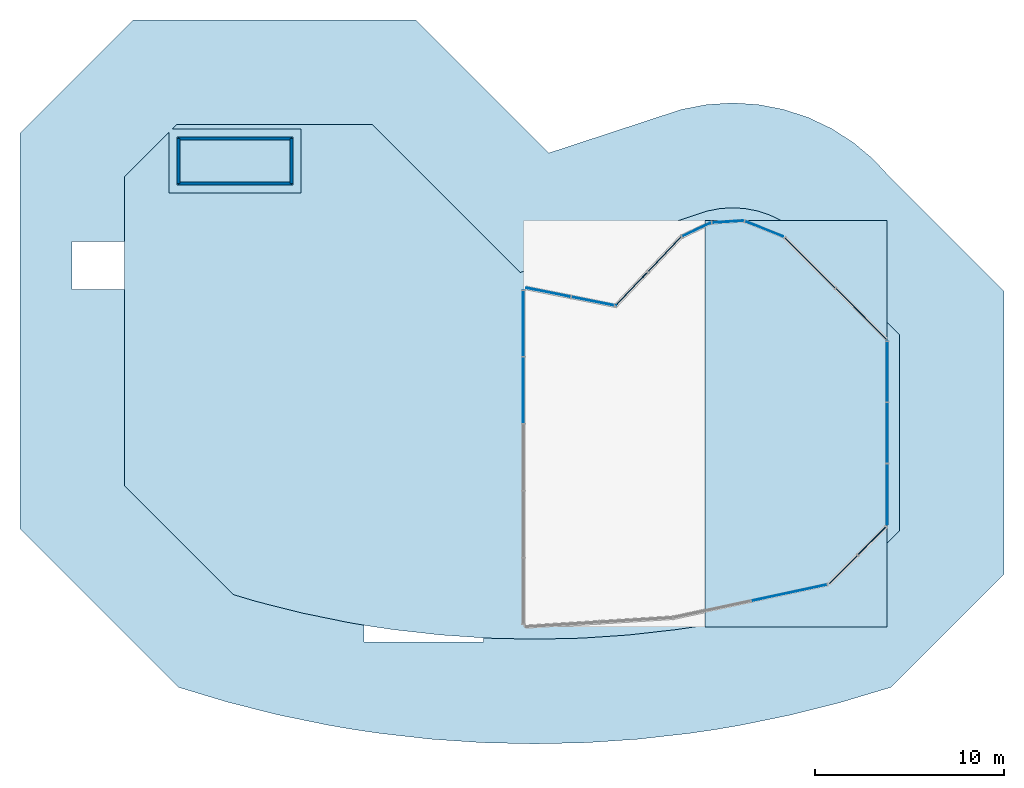
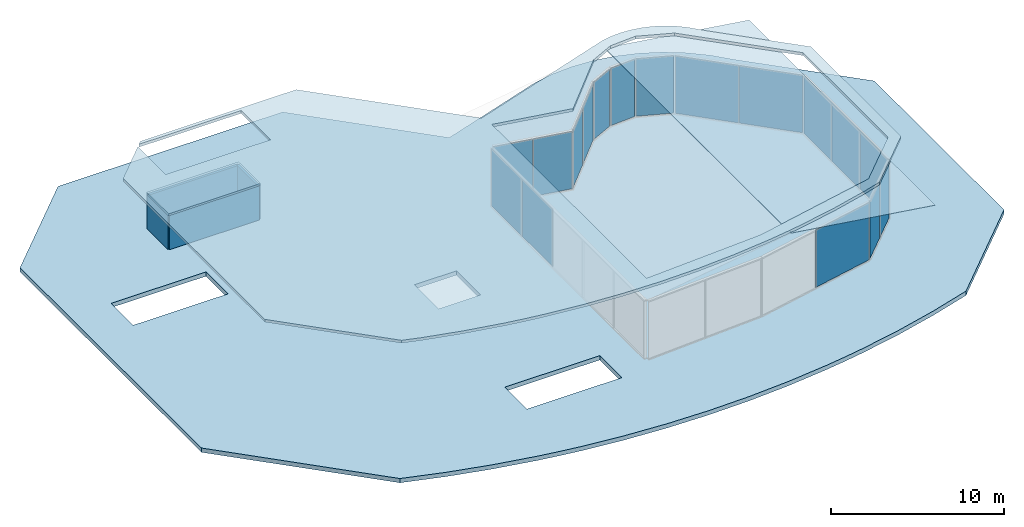
# One storey, part 2 of 2: 20 plates, 4 walls, 1 slab, 10 elements without a shape of their own.
"""IFC4 building model written with IfcOpenShell, lengths in metres."""

from ifc_helpers import new_model, si_unit, direction, frame, frame_2d, origin, origin_2d, place, context, subcontext, project, spatial, polyline, rectangle, outline, extrude, material, layer, layer_set, type_object, element, aggregate, save


model = new_model("IFC4")

# Units and contexts
model_context = context("Model", 3, precision=1e-05, world=origin(), true_north=direction((0.0, 1.0)))
body_context = subcontext(model_context, "Body", "Model", "MODEL_VIEW")
ifc_project = project(units=[si_unit("LENGTHUNIT", "METRE"), si_unit("AREAUNIT", "SQUARE_METRE"), si_unit("VOLUMEUNIT", "CUBIC_METRE"), si_unit("PLANEANGLEUNIT", "RADIAN"), si_unit("MASSUNIT", "GRAM", prefix="KILO")], contexts=[model_context])

# Site, building, storey
site_placement = place(None, origin())
site = spatial("IfcSite", under=ifc_project, at=site_placement, CompositionType="ELEMENT")
building_placement = place(site_placement, origin())
building = spatial("IfcBuilding", under=site, at=building_placement, Name="Brevane Broadcast Tower", CompositionType="ELEMENT")
storey_placement = place(building_placement, frame((0.0, 0.0, 268.89990234375)))
storey = spatial("IfcBuildingStorey", under=building, at=storey_placement, Name="ROOF", CompositionType="ELEMENT", Elevation=268.89990234375)

# Curtain wall, plates
ifc_material_1 = material(Name="Aluminium 6063-T6 bronze anodised", Category="aluminium")
curtain_wall_type = type_object("IfcCurtainWallType", Name="CW-5 lantern curtain wall", PredefinedType="NOTDEFINED", material=ifc_material_1)
curtain_wall_1_placement = place(storey_placement, origin())
curtain_wall_1 = element("IfcCurtainWall", 1, at=curtain_wall_1_placement, inside=storey, type_object=curtain_wall_type, Name="Lantern glass panel 1", PredefinedType="NOTDEFINED")
ifc_material_2 = material(Name="Laminated glass bronze-tinted", Category="glass")
ifc_layer_1 = layer(ifc_material_2, 0.0400390625)
ifc_layer_set_1 = layer_set([ifc_layer_1], Name="CW tall glass panel 40")
plate_type_1 = type_object("IfcPlateType", Name="CW tall glass panel 40", PredefinedType="CURTAIN_PANEL", material=ifc_layer_set_1)
plate_1_placement = place(storey_placement, frame((25.800048828125, 18.4150390625, 0.380126953125), z_axis=(0.0, 0.0, 1.0), x_axis=(0.0, -1.0, 0.0)))
plate_1 = element("IfcPlate", 2, at=plate_1_placement, type_object=plate_type_1, Name="Hall glass panel", PredefinedType="CURTAIN_PANEL", context=body_context, shape_type="SweptSolid", body=[
    extrude(rectangle(XDim=3.49755859375, YDim=0.0400390625, at=origin_2d()), origin(), (0.0, 0.0, 1.0), 4.0400390625),
])
plate_2_placement = place(storey_placement, frame((25.800048828125, 14.857421875, 0.380126953125), z_axis=(0.0, 0.0, 1.0), x_axis=(0.0, -1.0, 0.0)))
plate_2 = element("IfcPlate", 3, at=plate_2_placement, type_object=plate_type_1, Name="Hall glass panel", PredefinedType="CURTAIN_PANEL", context=body_context, shape_type="SweptSolid", body=[
    extrude(rectangle(XDim=3.49755859375, YDim=0.0400390625, at=origin_2d()), origin(), (0.0, 0.0, 1.0), 4.0400390625),
])
aggregate(curtain_wall_1, [plate_1, plate_2])

# Curtain wall, plate
curtain_wall_2_placement = place(storey_placement, origin())
curtain_wall_2 = element("IfcCurtainWall", 4, at=curtain_wall_2_placement, inside=storey, type_object=curtain_wall_type, Name="Lantern glass panel 3", PredefinedType="NOTDEFINED")
plate_3_placement = place(storey_placement, frame((39.922607421875, 4.11962890625, 0.380126953125), z_axis=(0.0, 0.0, 1.0), x_axis=(0.977667345553, 0.210158419864, 0.0)))
plate_3 = element("IfcPlate", 5, at=plate_3_placement, type_object=plate_type_1, Name="Hall glass panel", PredefinedType="CURTAIN_PANEL", context=body_context, shape_type="SweptSolid", body=[
    extrude(rectangle(XDim=4.1259765625, YDim=0.0400390625, at=origin_2d()), origin(), (0.0, 0.0, 1.0), 4.0400390625),
])
aggregate(curtain_wall_2, [plate_3])

# Curtain wall, plates
curtain_wall_3_placement = place(storey_placement, origin())
curtain_wall_3 = element("IfcCurtainWall", 6, at=curtain_wall_3_placement, inside=storey, type_object=curtain_wall_type, Name="Lantern glass panel 4", PredefinedType="NOTDEFINED")
plate_4_placement = place(storey_placement, frame((42.781494140625, 5.349609375, 0.380126953125), z_axis=(0.0, 0.0, 1.0), x_axis=(0.707106781187, 0.707106781187, 0.0)))
plate_4 = element("IfcPlate", 7, at=plate_4_placement, type_object=plate_type_1, Name="Hall glass panel", PredefinedType="CURTAIN_PANEL", context=body_context, shape_type="SweptSolid", body=[
    extrude(rectangle(XDim=2.09814453125, YDim=0.0400390625, at=origin_2d()), origin(), (0.0, 0.0, 1.0), 4.0400390625),
])
plate_5_placement = place(storey_placement, frame((44.3076171875, 6.875732421875, 0.380126953125), z_axis=(0.0, 0.0, 1.0), x_axis=(0.707106781187, 0.707106781187, 0.0)))
plate_5 = element("IfcPlate", 8, at=plate_5_placement, type_object=plate_type_1, Name="Hall glass panel", PredefinedType="CURTAIN_PANEL", context=body_context, shape_type="SweptSolid", body=[
    extrude(rectangle(XDim=2.09814453125, YDim=0.0400390625, at=origin_2d()), origin(), (0.0, 0.0, 1.0), 4.0400390625),
])
aggregate(curtain_wall_3, [plate_4, plate_5])

curtain_wall_4_placement = place(storey_placement, origin())
curtain_wall_4 = element("IfcCurtainWall", 9, at=curtain_wall_4_placement, inside=storey, type_object=curtain_wall_type, Name="Lantern glass panel 5", PredefinedType="NOTDEFINED")
plate_6_placement = place(storey_placement, frame((45.10009765625, 9.339599609375, 0.380126953125), z_axis=(0.0, 0.0, 1.0), x_axis=(0.0, 1.0, 0.0)))
plate_6 = element("IfcPlate", 10, at=plate_6_placement, type_object=plate_type_1, Name="Hall glass panel", PredefinedType="CURTAIN_PANEL", context=body_context, shape_type="SweptSolid", body=[
    extrude(rectangle(XDim=3.2001953125, YDim=0.0400390625, at=origin_2d()), origin(), (0.0, 0.0, 1.0), 4.0400390625),
])
plate_7_placement = place(storey_placement, frame((45.10009765625, 12.60009765625, 0.380126953125), z_axis=(0.0, 0.0, 1.0), x_axis=(0.0, 1.0, 0.0)))
plate_7 = element("IfcPlate", 11, at=plate_7_placement, type_object=plate_type_1, Name="Hall glass panel", PredefinedType="CURTAIN_PANEL", context=body_context, shape_type="SweptSolid", body=[
    extrude(rectangle(XDim=3.2001953125, YDim=0.0400390625, at=origin_2d()), origin(), (0.0, 0.0, 1.0), 4.0400390625),
])
plate_8_placement = place(storey_placement, frame((45.10009765625, 15.8603515625, 0.380126953125), z_axis=(0.0, 0.0, 1.0), x_axis=(0.0, 1.0, 0.0)))
plate_8 = element("IfcPlate", 12, at=plate_8_placement, type_object=plate_type_1, Name="Hall glass panel", PredefinedType="CURTAIN_PANEL", context=body_context, shape_type="SweptSolid", body=[
    extrude(rectangle(XDim=3.2001953125, YDim=0.0400390625, at=origin_2d()), origin(), (0.0, 0.0, 1.0), 4.0400390625),
])
aggregate(curtain_wall_4, [plate_6, plate_7, plate_8])

curtain_wall_5_placement = place(storey_placement, origin())
curtain_wall_5 = element("IfcCurtainWall", 13, at=curtain_wall_5_placement, inside=storey, type_object=curtain_wall_type, Name="Lantern glass panel 6", PredefinedType="NOTDEFINED")
plate_9_placement = place(storey_placement, frame((43.7138671875, 18.915771484375, 0.380126953125), z_axis=(0.0, 0.0, 1.0), x_axis=(-0.707645290671, 0.706567861278, 0.0)))
plate_9 = element("IfcPlate", 14, at=plate_9_placement, type_object=plate_type_1, Name="Hall glass panel", PredefinedType="CURTAIN_PANEL", context=body_context, shape_type="SweptSolid", body=[
    extrude(rectangle(XDim=3.7744140625, YDim=0.0400390625, at=origin_2d()), origin(), (0.0, 0.0, 1.0), 4.0400390625),
])
plate_10_placement = place(storey_placement, frame((41.00048828125, 21.625244140625, 0.380126953125), z_axis=(0.0, 0.0, 1.0), x_axis=(-0.707645290671, 0.706567861278, 0.0)))
plate_10 = element("IfcPlate", 15, at=plate_10_placement, type_object=plate_type_1, Name="Hall glass panel", PredefinedType="CURTAIN_PANEL", context=body_context, shape_type="SweptSolid", body=[
    extrude(rectangle(XDim=3.7744140625, YDim=0.0400390625, at=origin_2d()), origin(), (0.0, 0.0, 1.0), 4.0400390625),
])
aggregate(curtain_wall_5, [plate_9, plate_10])

# Curtain wall, plate
curtain_wall_6_placement = place(storey_placement, origin())
curtain_wall_6 = element("IfcCurtainWall", 16, at=curtain_wall_6_placement, inside=storey, type_object=curtain_wall_type, Name="Lantern glass panel 7", PredefinedType="NOTDEFINED")
plate_11_placement = place(storey_placement, frame((38.55908203125, 23.4228515625, 0.380126953125), z_axis=(0.0, 0.0, 1.0), x_axis=(-0.928319043234, 0.37178455316, 0.0)))
plate_11 = element("IfcPlate", 17, at=plate_11_placement, type_object=plate_type_1, Name="Hall glass panel", PredefinedType="CURTAIN_PANEL", context=body_context, shape_type="SweptSolid", body=[
    extrude(rectangle(XDim=2.204833984375, YDim=0.0400390625, at=origin_2d()), origin(), (0.0, 0.0, 1.0), 4.0400390625),
])
aggregate(curtain_wall_6, [plate_11])

curtain_wall_7_placement = place(storey_placement, origin())
curtain_wall_7 = element("IfcCurtainWall", 18, at=curtain_wall_7_placement, inside=storey, type_object=curtain_wall_type, Name="Lantern glass panel 8", PredefinedType="NOTDEFINED")
plate_12_placement = place(storey_placement, frame((36.61279296875, 23.796630859375, 0.380126953125), z_axis=(0.0, 0.0, 1.0), x_axis=(-0.997985261445, -0.063446181428, 0.0)))
plate_12 = element("IfcPlate", 19, at=plate_12_placement, type_object=plate_type_1, Name="Hall glass panel", PredefinedType="CURTAIN_PANEL", context=body_context, shape_type="SweptSolid", body=[
    extrude(rectangle(XDim=1.646484375, YDim=0.0400390625, at=origin_2d()), origin(), (0.0, 0.0, 1.0), 4.0400390625),
])
aggregate(curtain_wall_7, [plate_12])

curtain_wall_8_placement = place(storey_placement, origin())
curtain_wall_8 = element("IfcCurtainWall", 20, at=curtain_wall_8_placement, inside=storey, type_object=curtain_wall_type, Name="Lantern glass panel 9", PredefinedType="NOTDEFINED")
plate_13_placement = place(storey_placement, frame((34.9541015625, 23.3662109375, 0.380126953125), z_axis=(0.0, 0.0, 1.0), x_axis=(-0.902860503823, -0.429933611894, 0.0)))
plate_13 = element("IfcPlate", 21, at=plate_13_placement, type_object=plate_type_1, Name="Hall glass panel", PredefinedType="CURTAIN_PANEL", context=body_context, shape_type="SweptSolid", body=[
    extrude(rectangle(XDim=1.646484375, YDim=0.0400390625, at=origin_2d()), origin(), (0.0, 0.0, 1.0), 4.0400390625),
])
aggregate(curtain_wall_8, [plate_13])

# Curtain wall, plates
curtain_wall_9_placement = place(storey_placement, origin())
curtain_wall_9 = element("IfcCurtainWall", 22, at=curtain_wall_9_placement, inside=storey, type_object=curtain_wall_type, Name="Lantern glass panel 10", PredefinedType="NOTDEFINED")
plate_14_placement = place(storey_placement, frame((33.281005859375, 22.05859375, 0.380126953125), z_axis=(0.0, 0.0, 1.0), x_axis=(-0.688725040433, -0.725022633219, 0.0)))
plate_14 = element("IfcPlate", 23, at=plate_14_placement, type_object=plate_type_1, Name="Hall glass panel", PredefinedType="CURTAIN_PANEL", context=body_context, shape_type="SweptSolid", body=[
    extrude(rectangle(XDim=2.4755859375, YDim=0.0400390625, at=origin_2d()), origin(), (0.0, 0.0, 1.0), 4.0400390625),
])
plate_15_placement = place(storey_placement, frame((31.53466796875, 20.22021484375, 0.380126953125), z_axis=(0.0, 0.0, 1.0), x_axis=(-0.688725040433, -0.725022633219, 0.0)))
plate_15 = element("IfcPlate", 24, at=plate_15_placement, type_object=plate_type_1, Name="Hall glass panel", PredefinedType="CURTAIN_PANEL", context=body_context, shape_type="SweptSolid", body=[
    extrude(rectangle(XDim=2.4755859375, YDim=0.0400390625, at=origin_2d()), origin(), (0.0, 0.0, 1.0), 4.0400390625),
])
aggregate(curtain_wall_9, [plate_14, plate_15])

curtain_wall_10_placement = place(storey_placement, origin())
curtain_wall_10 = element("IfcCurtainWall", 25, at=curtain_wall_10_placement, inside=storey, type_object=curtain_wall_type, Name="Lantern glass panel 11", PredefinedType="NOTDEFINED")
plate_16_placement = place(storey_placement, frame((29.545166015625, 19.570556640625, 0.380126953125), z_axis=(0.0, 0.0, 1.0), x_axis=(-0.980785295664, 0.195090245294, 0.0)))
plate_16 = element("IfcPlate", 26, at=plate_16_placement, type_object=plate_type_1, Name="Hall glass panel", PredefinedType="CURTAIN_PANEL", context=body_context, shape_type="SweptSolid", body=[
    extrude(rectangle(XDim=2.404296875, YDim=0.0400390625, at=origin_2d()), origin(), (0.0, 0.0, 1.0), 4.0400390625),
])
plate_17_placement = place(storey_placement, frame((27.1279296875, 20.051513671875, 0.380126953125), z_axis=(0.0, 0.0, 1.0), x_axis=(-0.980785295664, 0.195090245294, 0.0)))
plate_17 = element("IfcPlate", 27, at=plate_17_placement, type_object=plate_type_1, Name="Hall glass panel", PredefinedType="CURTAIN_PANEL", context=body_context, shape_type="SweptSolid", body=[
    extrude(rectangle(XDim=2.404296875, YDim=0.0400390625, at=origin_2d()), origin(), (0.0, 0.0, 1.0), 4.0400390625),
])
aggregate(curtain_wall_10, [plate_16, plate_17])

# Plates
ifc_material_3 = material(Name="Aluminium bronze anodised", Category="aluminium")
ifc_layer_2 = layer(ifc_material_3, 0.199951171875)
ifc_layer_set_2 = layer_set([ifc_layer_2], Name="Canopy shoulder plate 200")
plate_type_2 = type_object("IfcPlateType", Name="Canopy shoulder plate 200", PredefinedType="SHEET", material=ifc_layer_set_2)
plate_18_placement = place(storey_placement, frame((0.0, 0.0, 5.85009765625)))
element("IfcPlate", 28, at=plate_18_placement, inside=storey, type_object=plate_type_2, Name="Canopy cap roof", PredefinedType="SHEET", context=body_context, shape_type="SweptSolid", body=[
    extrude(outline(polyline([(10.436767578125, 4.011962890625), (11.6083984375, 3.659423828125), (14.027587890625, 3.04833984375), (16.50244140625, 2.54052734375), (17.701904296875, 2.33642578125), (18.9052734375, 2.1591796875), (21.415771484375, 1.875732421875), (23.905517578125, 1.70751953125), (26.39990234375, 1.6513671875), (28.89453125, 1.70751953125), (31.38427734375, 1.875732421875), (33.89453125, 2.1591796875), (35.09814453125, 2.33642578125), (36.29736328125, 2.54052734375), (38.772216796875, 3.04833984375), (41.191650390625, 3.659423828125), (42.363037109375, 4.011962890625), (45.75, 7.39892578125), (45.75, 17.801025390625), (41.297119140625, 22.25390625), (40.530029296875, 23.0849609375), (40.018798828125, 23.51416015625), (39.45751953125, 23.875), (38.855224609375, 24.161865234375), (38.22119140625, 24.3701171875), (37.56591796875, 24.49658203125), (36.89990234375, 24.538818359375), (36.234130859375, 24.49658203125), (35.578857421875, 24.3701171875), (25.644775390625, 21.106201171875), (17.801025390625, 28.949951171875), (7.39892578125, 28.949951171875), (7.16943359375, 28.720458984375), (14.0, 28.720458984375), (14.0, 25.320556640625), (7.0, 25.320556640625), (7.0, 28.551025390625), (4.64990234375, 26.201171875), (4.64990234375, 9.798828125), (10.436767578125, 4.011962890625)]), holes=[polyline([(30.716796875, 19.28662109375), (25.85009765625, 20.254638671875), (25.85009765625, 2.352783203125), (33.769775390625, 2.84814453125), (41.97265625, 4.611572265625), (45.050048828125, 7.688720703125), (45.050048828125, 17.51123046875), (39.601318359375, 22.95166015625), (37.478759765625, 23.801513671875), (35.7548828125, 23.69189453125), (34.197021484375, 22.9501953125), (30.716796875, 19.28662109375)])]), origin(), (0.0, 0.0, 1.0), 0.199951171875),
])
ifc_layer_3 = layer(ifc_material_2, 0.0400390625)
ifc_layer_set_3 = layer_set([ifc_layer_3], Name="Lantern roof glass 40")
plate_type_3 = type_object("IfcPlateType", Name="Lantern roof glass 40", PredefinedType="SHEET", material=ifc_layer_set_3)
plate_19_placement = place(storey_placement, frame((45.10009765625, 23.852294921875, 4.5), z_axis=(0.143587219267, 0.0, 0.989637666251), x_axis=(0.0, -1.0, 0.0)))
element("IfcPlate", 29, at=plate_19_placement, inside=storey, type_object=plate_type_3, Name="Lantern roof glass", PredefinedType="SHEET", context=body_context, shape_type="SweptSolid", body=[
    extrude(outline(polyline([(0.0, 0.0), (21.552734375, 0.0), (21.552734375, -9.751191586037208), (0.0, -9.751191586037208), (0.0, 0.0)])), origin(), (0.0, 0.0, -1.0), 0.0400390625),
])
ifc_layer_4 = layer(ifc_material_3, 0.14990234375)
ifc_layer_set_4 = layer_set([ifc_layer_4], Name="Plant enclosure roof plate 150")
plate_type_4 = type_object("IfcPlateType", Name="Plant enclosure roof plate 150", PredefinedType="SHEET", material=ifc_layer_set_4)
plate_20_placement = place(storey_placement, frame((10.5, 27.0205078125, 2.7001953125), z_axis=(0.0, 0.0, 1.0), x_axis=(1.0, 0.0, 0.0)))
element("IfcPlate", 30, at=plate_20_placement, inside=storey, type_object=plate_type_4, Name="Plant enclosure roof", PredefinedType="SHEET", context=body_context, shape_type="SweptSolid", body=[
    extrude(rectangle(XDim=6.14990234375, YDim=2.550048828125, at=origin_2d()), origin(), (0.0, 0.0, 1.0), 0.14990234375),
])

# Slab
ifc_material_4 = material(Name="Concrete C40/50", Category="concrete")
ifc_layer_5 = layer(ifc_material_4, 0.300048828125)
ifc_layer_set_5 = layer_set([ifc_layer_5], Name="RC ROOF SLAB 300 C40/50")
slab_type = type_object("IfcSlabType", Name="RC ROOF SLAB 300 C40/50", PredefinedType="ROOF", material=ifc_layer_set_5)
slab_placement = place(storey_placement, origin())
element("IfcSlab", 31, at=slab_placement, inside=storey, type_object=slab_type, Name="Canopy roof slab", PredefinedType="ROOF", context=body_context, shape_type="SweptSolid", body=[
    extrude(outline(polyline([(-0.89990234375, 7.5), (-0.89990234375, 28.5), (5.10009765625, 34.5), (20.10009765625, 34.5), (27.155517578125, 27.444580078125), (34.181640625, 29.7529296875), (35.52978515625, 30.012939453125), (36.89990234375, 30.10009765625), (38.270263671875, 30.012939453125), (39.618408203125, 29.7529296875), (40.922607421875, 29.324462890625), (42.162353515625, 28.734130859375), (43.317138671875, 27.99169921875), (44.36865234375, 27.10888671875), (45.300048828125, 26.10009765625), (51.300048828125, 20.10009765625), (51.300048828125, 5.10009765625), (45.300048828125, -0.89990234375), (42.671630859375, -1.691162109375), (40.01025390625, -2.36328125), (37.3212890625, -2.9150390625), (35.96826171875, -3.145263671875), (34.6103515625, -3.34521484375), (31.8828125, -3.6533203125), (29.144287109375, -3.83837890625), (26.39990234375, -3.89990234375), (23.65576171875, -3.83837890625), (20.917236328125, -3.6533203125), (18.189697265625, -3.34521484375), (16.831787109375, -3.145263671875), (15.478515625, -2.9150390625), (12.789794921875, -2.36328125), (10.12841796875, -1.691162109375), (7.5, -0.89990234375), (-0.89990234375, 7.5)]), holes=[polyline([(23.699951171875, 1.5), (23.699951171875, 4.050048828125), (17.360107421875, 4.050048828125), (17.360107421875, 1.5), (23.699951171875, 1.5)]), polyline([(18.0, 15.60009765625), (18.0, 12.800048828125), (20.800048828125, 12.800048828125), (20.800048828125, 15.60009765625), (18.0, 15.60009765625)]), polyline([(1.860107421875, 20.199951171875), (8.199951171875, 20.199951171875), (8.199951171875, 22.75), (1.860107421875, 22.75), (1.860107421875, 20.199951171875)])]), origin(), (0.0, 0.0, 1.0), 0.300048828125),
])

# Walls
ifc_layer_6 = layer(ifc_material_3, 0.14990234375)
ifc_layer_set_6 = layer_set([ifc_layer_6], Name="Plant louvre screen 2400")
wall_type = type_object("IfcWallType", Name="Plant louvre screen 2400", PredefinedType="PARAPET", material=ifc_layer_set_6)
wall_1_placement = place(storey_placement, frame((13.5, 25.820556640625, 0.300048828125), z_axis=(0.0, 0.0, 1.0), x_axis=(0.0, 1.0, 0.0)))
element("IfcWall", 32, at=wall_1_placement, inside=storey, type_object=wall_type, Name="Roof plant louvre screen", PredefinedType="PARAPET", context=body_context, shape_type="SweptSolid", body=[
    extrude(rectangle(XDim=2.39990234375, YDim=0.14990234375, at=frame_2d((1.199951171875, 0.0))), origin(), (0.0, 0.0, 1.0), 2.400146484375),
])
wall_2_placement = place(storey_placement, frame((13.5, 28.220458984375, 0.300048828125), z_axis=(0.0, 0.0, 1.0), x_axis=(-1.0, 0.0, 0.0)))
element("IfcWall", 33, at=wall_2_placement, inside=storey, type_object=wall_type, Name="Roof plant louvre screen", PredefinedType="PARAPET", context=body_context, shape_type="SweptSolid", body=[
    extrude(rectangle(XDim=6.0, YDim=0.14990234375, at=frame_2d((3.0, 0.0))), origin(), (0.0, 0.0, 1.0), 2.400146484375),
])
wall_3_placement = place(storey_placement, frame((7.5, 28.220458984375, 0.300048828125), z_axis=(0.0, 0.0, 1.0), x_axis=(0.0, -1.0, 0.0)))
element("IfcWall", 34, at=wall_3_placement, inside=storey, type_object=wall_type, Name="Roof plant louvre screen", PredefinedType="PARAPET", context=body_context, shape_type="SweptSolid", body=[
    extrude(rectangle(XDim=2.39990234375, YDim=0.14990234375, at=frame_2d((1.199951171875, 0.0))), origin(), (0.0, 0.0, 1.0), 2.400146484375),
])
wall_4_placement = place(storey_placement, frame((7.5, 25.820556640625, 0.300048828125), z_axis=(0.0, 0.0, 1.0), x_axis=(1.0, 0.0, 0.0)))
element("IfcWall", 35, at=wall_4_placement, inside=storey, type_object=wall_type, Name="Roof plant louvre screen", PredefinedType="PARAPET", context=body_context, shape_type="SweptSolid", body=[
    extrude(rectangle(XDim=6.0, YDim=0.14990234375, at=frame_2d((3.0, 0.0))), origin(), (0.0, 0.0, 1.0), 2.400146484375),
])

save(model, "model.ifc")
